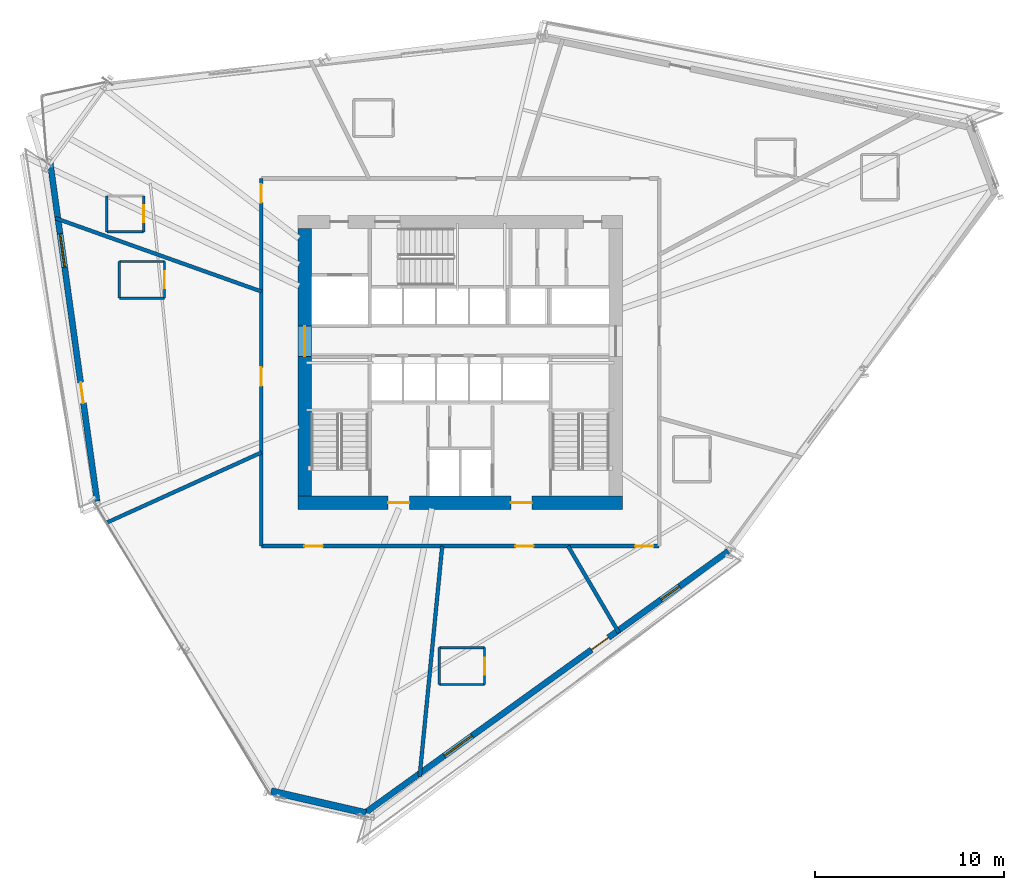
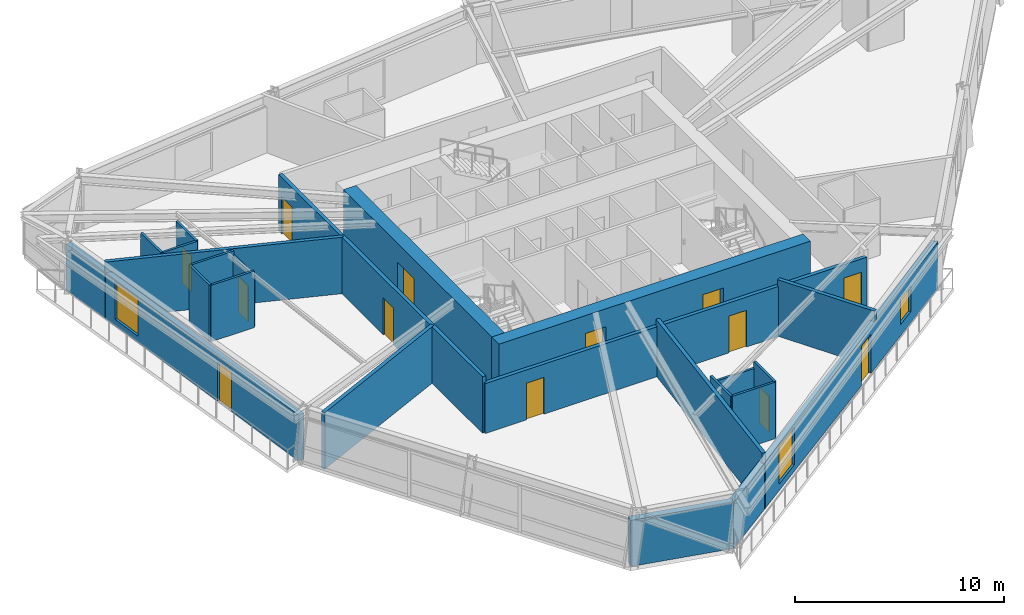
# One storey, part 12 of 18: 22 walls, 13 doors, 3 windows, 16 openings.
"""IFC4 building model written with IfcOpenShell, lengths in metres."""

from ifc_helpers import new_model, si_unit, direction, frame, frame_2d, origin, place, context, subcontext, project, spatial, rectangle, extrude, source, transform, mapped, material, layer, layer_set, type_object, type_shapes, element, fill, save


model = new_model("IFC4")

# Units and contexts
model_context = context("Model", 3, precision=1e-05, world=origin(), true_north=direction((0.0, 1.0)))
body_context = subcontext(model_context, "Body", "Model", "MODEL_VIEW")
ifc_project = project(units=[si_unit("LENGTHUNIT", "METRE"), si_unit("AREAUNIT", "SQUARE_METRE"), si_unit("VOLUMEUNIT", "CUBIC_METRE"), si_unit("PLANEANGLEUNIT", "RADIAN"), si_unit("MASSUNIT", "GRAM", prefix="KILO")], contexts=[model_context])

# Site, building, storey
site_placement = place(None, origin())
site = spatial("IfcSite", under=ifc_project, at=site_placement, CompositionType="ELEMENT")
building_placement = place(site_placement, origin())
building = spatial("IfcBuilding", under=site, at=building_placement, Name="Olszyna Solenne Hotel", CompositionType="ELEMENT")
storey_placement = place(building_placement, frame((0.0, 0.0, 119.89990234375)))
storey = spatial("IfcBuildingStorey", under=building, at=storey_placement, Name="L31", CompositionType="ELEMENT", Elevation=119.89990234375)

# Wall, openings, doors
ifc_material_1 = material(Name="Concrete C60/75", Category="concrete")
ifc_layer_1 = layer(ifc_material_1, 0.699951171875, Name="Concrete C60/75")
ifc_layer_set_1 = layer_set([ifc_layer_1], Name="Concrete C60/75")
wall_type_1 = type_object("IfcWallType", Name="WL-CR700", PredefinedType="SHEAR", material=ifc_layer_set_1)
wall_1_placement = place(storey_placement, frame((46.60009765625, 19.14990234375, 0.0), z_axis=(0.0, 0.0, 1.0), x_axis=(-1.0, 0.0, 0.0)))
wall_1 = element("IfcWall", 1, at=wall_1_placement, inside=storey, type_object=wall_type_1, Name="Core shear wall WL-CR700 CRW-L31-S", PredefinedType="SHEAR", context=body_context, shape_type="SweptSolid", body=[
    extrude(rectangle(XDim=17.2001953125, YDim=0.699951171875, at=frame_2d((8.60009765625, 0.0))), origin(), (0.0, 0.0, 1.0), 3.300048828125),
])
opening_1_placement = place(wall_1_placement, frame((4.800048828125, 0.0, 0.0)))
opening_1 = element("IfcOpeningElement", 2, at=opening_1_placement, cuts=wall_1, Name="Opening FL-L31-1", PredefinedType="OPENING", context=body_context, shape_type="SweptSolid", body=[
    extrude(rectangle(XDim=1.1201171875, YDim=2.25, at=frame_2d((0.56005859375, 1.125))), frame((0.0, 0.35986328125, 0.0), z_axis=(0.0, -1.0, 0.0), x_axis=(1.0, 0.0, 0.0)), (0.0, 0.0, 1.0), 0.719970703125),
])
opening_2_placement = place(wall_1_placement, frame((11.300048828125, 0.0, 0.0)))
opening_2 = element("IfcOpeningElement", 3, at=opening_2_placement, cuts=wall_1, Name="Opening FL-L31-2", PredefinedType="OPENING", context=body_context, shape_type="SweptSolid", body=[
    extrude(rectangle(XDim=1.1201171875, YDim=2.25, at=frame_2d((0.56005859375, 1.125))), frame((0.0, 0.35986328125, 0.0), z_axis=(0.0, -1.0, 0.0), x_axis=(1.0, 0.0, 0.0)), (0.0, 0.0, 1.0), 0.719970703125),
])
ifc_material_2 = material(Name="Steel S355J2", Category="steel")
door_type_1 = type_object("IfcDoorType", Name="DR-FL1", OperationType="NOTDEFINED", PredefinedType="DOOR", material=ifc_material_2)
shared_shape_1 = source(origin(), body_context, "Body", "SweptSolid", [
    extrude(rectangle(XDim=1.1201171875, YDim=2.25, at=frame_2d((0.56005859375, 1.125))), frame((0.0, 0.02490234375, 0.0), z_axis=(0.0, -1.0, 0.0), x_axis=(1.0, 0.0, 0.0)), (0.0, 0.0, 1.0), 0.050048828125),
])
type_shapes(door_type_1, [shared_shape_1])
door_1_placement = place(opening_1_placement, origin())
door_1 = element("IfcDoor", 4, at=door_1_placement, inside=storey, type_object=door_type_1, Name="Firefighting lift lobby smoke door FL-L31-1", OperationType="SINGLE_SWING_LEFT", OverallHeight=2.25, OverallWidth=1.1201171875, PredefinedType="DOOR", context=body_context, shape_type="MappedRepresentation", body=[
    mapped(shared_shape_1, transform((0.0, 0.0, 0.0), x_axis=(1.0, 0.0, 0.0), y_axis=(0.0, 1.0, 0.0), z_axis=(0.0, 0.0, 1.0), scale=1.0)),
])
fill(opening_1, door_1)
door_2_placement = place(opening_2_placement, origin())
door_2 = element("IfcDoor", 5, at=door_2_placement, inside=storey, type_object=door_type_1, Name="Firefighting lift lobby smoke door FL-L31-2", OperationType="SINGLE_SWING_RIGHT", OverallHeight=2.25, OverallWidth=1.1201171875, PredefinedType="DOOR", context=body_context, shape_type="MappedRepresentation", body=[
    mapped(shared_shape_1, transform((0.0, 0.0, 0.0), x_axis=(1.0, 0.0, 0.0), y_axis=(0.0, 1.0, 0.0), z_axis=(0.0, 0.0, 1.0), scale=1.0)),
])
fill(opening_2, door_2)

# Wall, opening, door
wall_2_placement = place(storey_placement, frame((29.75, 19.5, 0.0), z_axis=(0.0, 0.0, 1.0), x_axis=(0.0, 1.0, 0.0)))
wall_2 = element("IfcWall", 6, at=wall_2_placement, inside=storey, type_object=wall_type_1, Name="Core shear wall WL-CR700 CRW-L31-W", PredefinedType="SHEAR", context=body_context, shape_type="SweptSolid", body=[
    extrude(rectangle(XDim=14.199951171875, YDim=0.699951171875, at=frame_2d((7.10009765625, 0.0))), origin(), (0.0, 0.0, 1.0), 3.300048828125),
])
opening_3_placement = place(wall_2_placement, frame((7.419921875, 0.0, 0.0)))
opening_3 = element("IfcOpeningElement", 7, at=opening_3_placement, cuts=wall_2, Name="Opening LHD-L31-W", PredefinedType="OPENING", context=body_context, shape_type="SweptSolid", body=[
    extrude(rectangle(XDim=1.60009765625, YDim=2.199951171875, at=frame_2d((0.800048828125, 1.10009765625))), frame((0.0, 0.35986328125, 0.0), z_axis=(0.0, -1.0, 0.0), x_axis=(1.0, 0.0, 0.0)), (0.0, 0.0, 1.0), 0.719970703125),
])
ifc_material_3 = material(Name="Timber hardwood", Category="wood")
door_type_2 = type_object("IfcDoorType", Name="DR-CR1", OperationType="DOUBLE_DOOR_SINGLE_SWING", PredefinedType="DOOR", material=ifc_material_3)
shared_shape_2 = source(origin(), body_context, "Body", "SweptSolid", [
    extrude(rectangle(XDim=1.60009765625, YDim=2.199951171875, at=frame_2d((0.800048828125, 1.10009765625))), frame((0.0, 0.02490234375, 0.0), z_axis=(0.0, -1.0, 0.0), x_axis=(1.0, 0.0, 0.0)), (0.0, 0.0, 1.0), 0.050048828125),
])
type_shapes(door_type_2, [shared_shape_2])
door_3_placement = place(opening_3_placement, origin())
door_3 = element("IfcDoor", 8, at=door_3_placement, inside=storey, type_object=door_type_2, Name="Passenger lift lobby West fire door LHD-L31-W", OperationType="DOUBLE_DOOR_SINGLE_SWING", OverallHeight=2.199951171875, OverallWidth=1.60009765625, PredefinedType="DOOR", context=body_context, shape_type="MappedRepresentation", body=[
    mapped(shared_shape_2, transform((0.0, 0.0, 0.0), x_axis=(1.0, 0.0, 0.0), y_axis=(0.0, 1.0, 0.0), z_axis=(0.0, 0.0, 1.0), scale=1.0)),
])
fill(opening_3, door_3)

# Wall, openings, door, windows
ifc_material_4 = material(Name="Precast concrete C45/55", Category="concrete")
ifc_layer_2 = layer(ifc_material_4, 0.320068359375, Name="Precast concrete C45/55")
ifc_layer_set_2 = layer_set([ifc_layer_2], Name="Precast concrete C45/55")
wall_type_2 = type_object("IfcWallType", Name="WL-EX320", PredefinedType="SOLIDWALL", material=ifc_layer_set_2)
wall_3_placement = place(storey_placement, frame((52.215576171875, 16.57861328125, 0.0), z_axis=(0.0, 0.0, 1.0), x_axis=(-0.811343672804, -0.584569452334, 0.0)))
wall_3 = element("IfcWall", 9, at=wall_3_placement, inside=storey, type_object=wall_type_2, Name="Exterior terracotta-precast frame wall WL-EX320 EW-L31-01", PredefinedType="SOLIDWALL", context=body_context, shape_type="SweptSolid", body=[
    extrude(rectangle(XDim=23.85498046875, YDim=0.320068359375, at=frame_2d((11.927490234375, 0.0))), origin(), (0.0, 0.0, 1.0), 2.692138671875),
])
opening_4_placement = place(wall_3_placement, frame((7.833984375, 0.0, 0.0)))
opening_4 = element("IfcOpeningElement", 10, at=opening_4_placement, cuts=wall_3, Name="Opening LDG-L31-3", PredefinedType="OPENING", context=body_context, shape_type="SweptSolid", body=[
    extrude(rectangle(XDim=1.10009765625, YDim=2.300048828125, at=frame_2d((0.550048828125, 1.14990234375))), frame((0.0, 0.169921875, 0.0), z_axis=(0.0, -1.0, 0.0), x_axis=(1.0, 0.0, 0.0)), (0.0, 0.0, 1.0), 0.340087890625),
])
opening_5_placement = place(wall_3_placement, frame((16.7529296875, 0.0, 0.3720703125)))
opening_5 = element("IfcOpeningElement", 11, at=opening_5_placement, cuts=wall_3, Name="Opening WN-L31-175", PredefinedType="OPENING", context=body_context, shape_type="SweptSolid", body=[
    extrude(rectangle(XDim=1.800048828125, YDim=2.199951171875, at=frame_2d((0.89990234375, 1.10009765625))), frame((0.0, 0.169921875, 0.0), z_axis=(0.0, -1.0, 0.0), x_axis=(1.0, 0.0, 0.0)), (0.0, 0.0, 1.0), 0.340087890625),
])
opening_6_placement = place(wall_3_placement, frame((3.19091796875, 0.0, 0.64990234375)))
opening_6 = element("IfcOpeningElement", 12, at=opening_6_placement, cuts=wall_3, Name="Opening WN-L31-182", PredefinedType="OPENING", context=body_context, shape_type="SweptSolid", body=[
    extrude(rectangle(XDim=1.199951171875, YDim=1.5, at=frame_2d((0.60009765625, 0.75))), frame((0.0, 0.169921875, 0.0), z_axis=(0.0, -1.0, 0.0), x_axis=(1.0, 0.0, 0.0)), (0.0, 0.0, 1.0), 0.340087890625),
])
ifc_material_5 = material(Name="Anodised bronze aluminium", Category="aluminium")
door_type_3 = type_object("IfcDoorType", Name="DR-LG1", OperationType="NOTDEFINED", PredefinedType="DOOR", material=ifc_material_5)
shared_shape_3 = source(origin(), body_context, "Body", "SweptSolid", [
    extrude(rectangle(XDim=1.10009765625, YDim=2.300048828125, at=frame_2d((0.550048828125, 1.14990234375))), frame((0.0, 0.02490234375, 0.0), z_axis=(0.0, -1.0, 0.0), x_axis=(1.0, 0.0, 0.0)), (0.0, 0.0, 1.0), 0.050048828125),
])
type_shapes(door_type_3, [shared_shape_3])
door_4_placement = place(opening_4_placement, origin())
door_4 = element("IfcDoor", 13, at=door_4_placement, inside=storey, type_object=door_type_3, Name="Exterior loggia balcony door DR-LG1 LDG-L31-3", OperationType="SINGLE_SWING_LEFT", OverallHeight=2.300048828125, OverallWidth=1.10009765625, PredefinedType="DOOR", context=body_context, shape_type="MappedRepresentation", body=[
    mapped(shared_shape_3, transform((0.0, 0.0, 0.0), x_axis=(1.0, 0.0, 0.0), y_axis=(0.0, 1.0, 0.0), z_axis=(0.0, 0.0, 1.0), scale=1.0)),
])
fill(opening_4, door_4)
ifc_material_6 = material(Name="Low-E triple glazing", Category="glass")
window_type_1 = type_object("IfcWindowType", Name="WN-HT1", PartitioningType="SINGLE_PANEL", PredefinedType="WINDOW", material=ifc_material_6)
shared_shape_4 = source(origin(), body_context, "Body", "SweptSolid", [
    extrude(rectangle(XDim=1.800048828125, YDim=2.199951171875, at=frame_2d((0.89990234375, 1.10009765625))), frame((0.0, 0.030029296875, 0.0), z_axis=(0.0, -1.0, 0.0), x_axis=(1.0, 0.0, 0.0)), (0.0, 0.0, 1.0), 0.06005859375),
])
type_shapes(window_type_1, [shared_shape_4])
window_1_placement = place(opening_5_placement, origin())
window_1 = element("IfcWindow", 14, at=window_1_placement, inside=storey, type_object=window_type_1, Name="Loggia room window WN-HT1 WN-L31-175", OverallHeight=2.199951171875, OverallWidth=1.800048828125, PartitioningType="SINGLE_PANEL", PredefinedType="WINDOW", context=body_context, shape_type="MappedRepresentation", body=[
    mapped(shared_shape_4, transform((0.0, 0.0, 0.0), x_axis=(1.0, 0.0, 0.0), y_axis=(0.0, 1.0, 0.0), z_axis=(0.0, 0.0, 1.0), scale=1.0)),
])
fill(opening_5, window_1)
window_type_2 = type_object("IfcWindowType", Name="WN-B1", PartitioningType="SINGLE_PANEL", PredefinedType="WINDOW", material=ifc_material_6)
shared_shape_5 = source(origin(), body_context, "Body", "SweptSolid", [
    extrude(rectangle(XDim=1.199951171875, YDim=1.5, at=frame_2d((0.60009765625, 0.75))), frame((0.0, 0.030029296875, 0.0), z_axis=(0.0, -1.0, 0.0), x_axis=(1.0, 0.0, 0.0)), (0.0, 0.0, 1.0), 0.06005859375),
])
type_shapes(window_type_2, [shared_shape_5])
window_2_placement = place(opening_6_placement, origin())
window_2 = element("IfcWindow", 15, at=window_2_placement, inside=storey, type_object=window_type_2, Name="Exterior facade window WN-B1 WN-L31-182", OverallHeight=1.5, OverallWidth=1.199951171875, PartitioningType="SINGLE_PANEL", PredefinedType="WINDOW", context=body_context, shape_type="MappedRepresentation", body=[
    mapped(shared_shape_5, transform((0.0, 0.0, 0.0), x_axis=(1.0, 0.0, 0.0), y_axis=(0.0, 1.0, 0.0), z_axis=(0.0, 0.0, 1.0), scale=1.0)),
])
fill(opening_6, window_2)

# Wall, openings, door, window
wall_4_placement = place(storey_placement, frame((18.734619140625, 19.232421875, 0.0), z_axis=(0.0, 0.0, 1.0), x_axis=(-0.137044979398, 0.990564825553, 0.0)))
wall_4 = element("IfcWall", 16, at=wall_4_placement, inside=storey, type_object=wall_type_2, Name="Exterior terracotta-precast frame wall WL-EX320 EW-L31-04", PredefinedType="SOLIDWALL", context=body_context, shape_type="SweptSolid", body=[
    extrude(rectangle(XDim=18.140625, YDim=0.320068359375, at=frame_2d((9.0703125, 0.0))), origin(), (0.0, 0.0, 1.0), 2.692138671875),
])
opening_7_placement = place(wall_4_placement, frame((5.2548828125, 0.0, 0.0)))
opening_7 = element("IfcOpeningElement", 17, at=opening_7_placement, cuts=wall_4, Name="Opening LDG-L31-2", PredefinedType="OPENING", context=body_context, shape_type="SweptSolid", body=[
    extrude(rectangle(XDim=1.10009765625, YDim=2.300048828125, at=frame_2d((0.550048828125, 1.14990234375))), frame((0.0, 0.169921875, 0.0), z_axis=(0.0, -1.0, 0.0), x_axis=(1.0, 0.0, 0.0)), (0.0, 0.0, 1.0), 0.340087890625),
])
opening_8_placement = place(wall_4_placement, frame((12.52392578125, 0.0, 0.3720703125)))
opening_8 = element("IfcOpeningElement", 18, at=opening_8_placement, cuts=wall_4, Name="Opening WN-L31-176", PredefinedType="OPENING", context=body_context, shape_type="SweptSolid", body=[
    extrude(rectangle(XDim=1.800048828125, YDim=2.199951171875, at=frame_2d((0.89990234375, 1.10009765625))), frame((0.0, 0.169921875, 0.0), z_axis=(0.0, -1.0, 0.0), x_axis=(1.0, 0.0, 0.0)), (0.0, 0.0, 1.0), 0.340087890625),
])
door_5_placement = place(opening_7_placement, origin())
door_5 = element("IfcDoor", 19, at=door_5_placement, inside=storey, type_object=door_type_3, Name="Exterior loggia balcony door DR-LG1 LDG-L31-2", OperationType="SINGLE_SWING_RIGHT", OverallHeight=2.300048828125, OverallWidth=1.10009765625, PredefinedType="DOOR", context=body_context, shape_type="MappedRepresentation", body=[
    mapped(shared_shape_3, transform((0.0, 0.0, 0.0), x_axis=(1.0, 0.0, 0.0), y_axis=(0.0, 1.0, 0.0), z_axis=(0.0, 0.0, 1.0), scale=1.0)),
])
fill(opening_7, door_5)
window_3_placement = place(opening_8_placement, origin())
window_3 = element("IfcWindow", 20, at=window_3_placement, inside=storey, type_object=window_type_1, Name="Loggia room window WN-HT1 WN-L31-176", OverallHeight=2.199951171875, OverallWidth=1.800048828125, PartitioningType="SINGLE_PANEL", PredefinedType="WINDOW", context=body_context, shape_type="MappedRepresentation", body=[
    mapped(shared_shape_4, transform((0.0, 0.0, 0.0), x_axis=(1.0, 0.0, 0.0), y_axis=(0.0, 1.0, 0.0), z_axis=(0.0, 0.0, 1.0), scale=1.0)),
])
fill(opening_8, window_3)

# Wall
ifc_material_7 = material(Name="Terracotta cladding on precast concrete C45/55", Category="masonry")
ifc_layer_3 = layer(ifc_material_7, 0.3798828125, Name="Terracotta cladding on precast concrete C45/55")
ifc_layer_set_3 = layer_set([ifc_layer_3], Name="Terracotta cladding on precast concrete C45/55")
wall_type_3 = type_object("IfcWallType", Name="WL-EX380", PredefinedType="SOLIDWALL", material=ifc_layer_set_3)
wall_5_placement = place(storey_placement, frame((32.997314453125, 2.689208984375, 0.0), z_axis=(0.0, 0.0, 1.0), x_axis=(-0.97437763842, 0.22491824681, 0.0)))
element("IfcWall", 21, at=wall_5_placement, inside=storey, type_object=wall_type_3, Name="Exterior terracotta-precast frame wall WL-EX380 EW-L31-02", PredefinedType="SOLIDWALL", context=body_context, shape_type="SweptSolid", body=[
    extrude(rectangle(XDim=5.160400390625, YDim=0.3798828125, at=frame_2d((2.580078125, 0.0))), origin(), (0.0, 0.0, 1.0), 2.692138671875),
])

# Wall, opening, door
ifc_material_8 = material(Name="Acoustic gypsum partition", Category="gypsum")
ifc_layer_4 = layer(ifc_material_8, 0.125, Name="Acoustic gypsum partition")
ifc_layer_set_4 = layer_set([ifc_layer_4], Name="Acoustic gypsum partition")
wall_type_4 = type_object("IfcWallType", Name="WL-PT125", PredefinedType="PARTITIONING", material=ifc_layer_set_4)
wall_6_placement = place(storey_placement, frame((21.208984375, 33.52099609375, 0.0), z_axis=(0.0, 0.0, 1.0), x_axis=(0.0, 1.0, 0.0)))
wall_6 = element("IfcWall", 22, at=wall_6_placement, inside=storey, type_object=wall_type_4, Name="Interior acoustic partition WL-PT125 PW-L31-1803", PredefinedType="PARTITIONING", context=body_context, shape_type="SweptSolid", body=[
    extrude(rectangle(XDim=1.89990234375, YDim=0.125, at=frame_2d((0.949951171875, 0.0))), origin(), (0.0, 0.0, 1.0), 3.300048828125),
])
opening_9_placement = place(wall_6_placement, frame((0.5, 0.0, 0.0)))
opening_9 = element("IfcOpeningElement", 23, at=opening_9_placement, cuts=wall_6, Name="Opening DR-L31-0428", PredefinedType="OPENING", context=body_context, shape_type="SweptSolid", body=[
    extrude(rectangle(XDim=0.89990234375, YDim=2.10009765625, at=frame_2d((0.449951171875, 1.050048828125))), frame((0.0, 0.072509765625, 0.0), z_axis=(0.0, -1.0, 0.0), x_axis=(1.0, 0.0, 0.0)), (0.0, 0.0, 1.0), 0.14501953125),
])
door_type_4 = type_object("IfcDoorType", Name="DR-WC1", OperationType="NOTDEFINED", PredefinedType="DOOR", material=ifc_material_3)
shared_shape_6 = source(origin(), body_context, "Body", "SweptSolid", [
    extrude(rectangle(XDim=0.89990234375, YDim=2.10009765625, at=frame_2d((0.449951171875, 1.050048828125))), frame((0.0, 0.02490234375, 0.0), z_axis=(0.0, -1.0, 0.0), x_axis=(1.0, 0.0, 0.0)), (0.0, 0.0, 1.0), 0.050048828125),
])
type_shapes(door_type_4, [shared_shape_6])
door_6_placement = place(opening_9_placement, origin())
door_6 = element("IfcDoor", 24, at=door_6_placement, inside=storey, type_object=door_type_4, Name="En-Suite Bathroom Door DR-L31-0428", OperationType="SINGLE_SWING_RIGHT", OverallHeight=2.10009765625, OverallWidth=0.89990234375, PredefinedType="DOOR", context=body_context, shape_type="MappedRepresentation", body=[
    mapped(shared_shape_6, transform((0.0, 0.0, 0.0), x_axis=(1.0, 0.0, 0.0), y_axis=(0.0, 1.0, 0.0), z_axis=(0.0, 0.0, 1.0), scale=1.0)),
])
fill(opening_9, door_6)

# Walls
wall_7_placement = place(storey_placement, frame((19.259033203125, 35.4208984375, 0.0), z_axis=(0.0, 0.0, 1.0), x_axis=(0.0, -1.0, 0.0)))
element("IfcWall", 25, at=wall_7_placement, inside=storey, type_object=wall_type_4, Name="Interior acoustic partition WL-PT125 PW-L31-1805", PredefinedType="PARTITIONING", context=body_context, shape_type="SweptSolid", body=[
    extrude(rectangle(XDim=1.89990234375, YDim=0.125, at=frame_2d((0.949951171875, 0.0))), origin(), (0.0, 0.0, 1.0), 3.300048828125),
])
wall_8_placement = place(storey_placement, frame((19.259033203125, 33.52099609375, 0.0), z_axis=(0.0, 0.0, 1.0), x_axis=(1.0, 0.0, 0.0)))
element("IfcWall", 26, at=wall_8_placement, inside=storey, type_object=wall_type_4, Name="Interior acoustic partition WL-PT125 PW-L31-1806", PredefinedType="PARTITIONING", context=body_context, shape_type="SweptSolid", body=[
    extrude(rectangle(XDim=1.949951171875, YDim=0.125, at=frame_2d((0.97509765625, 0.0))), origin(), (0.0, 0.0, 1.0), 3.300048828125),
])

# Wall, opening, door
wall_9_placement = place(storey_placement, frame((22.31298828125, 29.9990234375, 0.0), z_axis=(0.0, 0.0, 1.0), x_axis=(0.0, 1.0, 0.0)))
wall_9 = element("IfcWall", 27, at=wall_9_placement, inside=storey, type_object=wall_type_4, Name="Interior acoustic partition WL-PT125 PW-L31-1807", PredefinedType="PARTITIONING", context=body_context, shape_type="SweptSolid", body=[
    extrude(rectangle(XDim=1.949951171875, YDim=0.125, at=frame_2d((0.97509765625, 0.0))), origin(), (0.0, 0.0, 1.0), 3.045166015625),
])
opening_10_placement = place(wall_9_placement, frame((0.52490234375, 0.0, 0.0)))
opening_10 = element("IfcOpeningElement", 28, at=opening_10_placement, cuts=wall_9, Name="Opening DR-L31-0429", PredefinedType="OPENING", context=body_context, shape_type="SweptSolid", body=[
    extrude(rectangle(XDim=0.89990234375, YDim=2.10009765625, at=frame_2d((0.449951171875, 1.050048828125))), frame((0.0, 0.072509765625, 0.0), z_axis=(0.0, -1.0, 0.0), x_axis=(1.0, 0.0, 0.0)), (0.0, 0.0, 1.0), 0.14501953125),
])
door_7_placement = place(opening_10_placement, origin())
door_7 = element("IfcDoor", 29, at=door_7_placement, inside=storey, type_object=door_type_4, Name="En-Suite Bathroom Door DR-L31-0429", OperationType="SINGLE_SWING_RIGHT", OverallHeight=2.10009765625, OverallWidth=0.89990234375, PredefinedType="DOOR", context=body_context, shape_type="MappedRepresentation", body=[
    mapped(shared_shape_6, transform((0.0, 0.0, 0.0), x_axis=(1.0, 0.0, 0.0), y_axis=(0.0, 1.0, 0.0), z_axis=(0.0, 0.0, 1.0), scale=1.0)),
])
fill(opening_10, door_7)

# Walls
wall_10_placement = place(storey_placement, frame((22.31298828125, 31.948974609375, 0.0), z_axis=(0.0, 0.0, 1.0), x_axis=(-1.0, 0.0, 0.0)))
element("IfcWall", 30, at=wall_10_placement, inside=storey, type_object=wall_type_4, Name="Interior acoustic partition WL-PT125 PW-L31-1808", PredefinedType="PARTITIONING", context=body_context, shape_type="SweptSolid", body=[
    extrude(rectangle(XDim=2.39990234375, YDim=0.125, at=frame_2d((1.199951171875, 0.0))), origin(), (0.0, 0.0, 1.0), 3.300048828125),
])
wall_11_placement = place(storey_placement, frame((19.9130859375, 31.948974609375, 0.0), z_axis=(0.0, 0.0, 1.0), x_axis=(0.0, -1.0, 0.0)))
element("IfcWall", 31, at=wall_11_placement, inside=storey, type_object=wall_type_4, Name="Interior acoustic partition WL-PT125 PW-L31-1809", PredefinedType="PARTITIONING", context=body_context, shape_type="SweptSolid", body=[
    extrude(rectangle(XDim=1.949951171875, YDim=0.125, at=frame_2d((0.97509765625, 0.0))), origin(), (0.0, 0.0, 1.0), 3.300048828125),
])
wall_12_placement = place(storey_placement, frame((19.9130859375, 29.9990234375, 0.0), z_axis=(0.0, 0.0, 1.0), x_axis=(1.0, 0.0, 0.0)))
element("IfcWall", 32, at=wall_12_placement, inside=storey, type_object=wall_type_4, Name="Interior acoustic partition WL-PT125 PW-L31-1810", PredefinedType="PARTITIONING", context=body_context, shape_type="SweptSolid", body=[
    extrude(rectangle(XDim=2.39990234375, YDim=0.125, at=frame_2d((1.199951171875, 0.0))), origin(), (0.0, 0.0, 1.0), 3.300048828125),
])

# Wall, opening, door
wall_13_placement = place(storey_placement, frame((39.2880859375, 9.510009765625, 0.0), z_axis=(0.0, 0.0, 1.0), x_axis=(0.0, 1.0, 0.0)))
wall_13 = element("IfcWall", 33, at=wall_13_placement, inside=storey, type_object=wall_type_4, Name="Interior acoustic partition WL-PT125 PW-L31-1811", PredefinedType="PARTITIONING", context=body_context, shape_type="SweptSolid", body=[
    extrude(rectangle(XDim=1.949951171875, YDim=0.125, at=frame_2d((0.97509765625, 0.0))), origin(), (0.0, 0.0, 1.0), 3.300048828125),
])
opening_11_placement = place(wall_13_placement, frame((0.52490234375, 0.0, 0.0)))
opening_11 = element("IfcOpeningElement", 34, at=opening_11_placement, cuts=wall_13, Name="Opening DR-L31-0430", PredefinedType="OPENING", context=body_context, shape_type="SweptSolid", body=[
    extrude(rectangle(XDim=0.89990234375, YDim=2.10009765625, at=frame_2d((0.449951171875, 1.050048828125))), frame((0.0, 0.072509765625, 0.0), z_axis=(0.0, -1.0, 0.0), x_axis=(1.0, 0.0, 0.0)), (0.0, 0.0, 1.0), 0.14501953125),
])
door_8_placement = place(opening_11_placement, origin())
door_8 = element("IfcDoor", 35, at=door_8_placement, inside=storey, type_object=door_type_4, Name="En-Suite Bathroom Door DR-L31-0430", OperationType="SINGLE_SWING_RIGHT", OverallHeight=2.10009765625, OverallWidth=0.89990234375, PredefinedType="DOOR", context=body_context, shape_type="MappedRepresentation", body=[
    mapped(shared_shape_6, transform((0.0, 0.0, 0.0), x_axis=(1.0, 0.0, 0.0), y_axis=(0.0, 1.0, 0.0), z_axis=(0.0, 0.0, 1.0), scale=1.0)),
])
fill(opening_11, door_8)

# Walls
wall_14_placement = place(storey_placement, frame((39.2880859375, 11.4599609375, 0.0), z_axis=(0.0, 0.0, 1.0), x_axis=(-1.0, 0.0, 0.0)))
element("IfcWall", 36, at=wall_14_placement, inside=storey, type_object=wall_type_4, Name="Interior acoustic partition WL-PT125 PW-L31-1812", PredefinedType="PARTITIONING", context=body_context, shape_type="SweptSolid", body=[
    extrude(rectangle(XDim=2.400146484375, YDim=0.125, at=frame_2d((1.2001953125, 0.0))), origin(), (0.0, 0.0, 1.0), 2.925048828125),
])
wall_15_placement = place(storey_placement, frame((36.887939453125, 11.4599609375, 0.0), z_axis=(0.0, 0.0, 1.0), x_axis=(0.0, -1.0, 0.0)))
element("IfcWall", 37, at=wall_15_placement, inside=storey, type_object=wall_type_4, Name="Interior acoustic partition WL-PT125 PW-L31-1813", PredefinedType="PARTITIONING", context=body_context, shape_type="SweptSolid", body=[
    extrude(rectangle(XDim=1.949951171875, YDim=0.125, at=frame_2d((0.97509765625, 0.0))), origin(), (0.0, 0.0, 1.0), 3.300048828125),
])
wall_16_placement = place(storey_placement, frame((36.887939453125, 9.510009765625, 0.0), z_axis=(0.0, 0.0, 1.0), x_axis=(1.0, 0.0, 0.0)))
element("IfcWall", 38, at=wall_16_placement, inside=storey, type_object=wall_type_4, Name="Interior acoustic partition WL-PT125 PW-L31-1814", PredefinedType="PARTITIONING", context=body_context, shape_type="SweptSolid", body=[
    extrude(rectangle(XDim=2.400146484375, YDim=0.125, at=frame_2d((1.2001953125, 0.0))), origin(), (0.0, 0.0, 1.0), 3.300048828125),
])
ifc_layer_5 = layer(ifc_material_8, 0.199951171875, Name="Acoustic gypsum partition")
ifc_layer_set_5 = layer_set([ifc_layer_5], Name="Acoustic gypsum partition")
wall_type_5 = type_object("IfcWallType", Name="WL-PT200", PredefinedType="PARTITIONING", material=ifc_layer_set_5)
wall_17_placement = place(storey_placement, frame((43.72021484375, 16.85009765625, 0.0), z_axis=(0.0, 0.0, 1.0), x_axis=(0.506032751864, -0.862514263094, 0.0)))
element("IfcWall", 39, at=wall_17_placement, inside=storey, type_object=wall_type_5, Name="Interior acoustic partition WL-PT200 PW-L31-1779", PredefinedType="PARTITIONING", context=body_context, shape_type="SweptSolid", body=[
    extrude(rectangle(XDim=5.33984375, YDim=0.199951171875, at=frame_2d((2.669921875, 0.0))), origin(), (0.0, 0.0, 1.0), 3.300048828125),
])
wall_18_placement = place(storey_placement, frame((27.449951171875, 30.356689453125, 0.0), z_axis=(0.0, 0.0, 1.0), x_axis=(-0.942054935906, 0.335458637891, 0.0)))
element("IfcWall", 40, at=wall_18_placement, inside=storey, type_object=wall_type_5, Name="Interior acoustic partition WL-PT200 PW-L31-1784", PredefinedType="PARTITIONING", context=body_context, shape_type="SweptSolid", body=[
    extrude(rectangle(XDim=11.595703125, YDim=0.199951171875, at=frame_2d((5.7978515625, 0.0))), origin(), (0.0, 0.0, 1.0), 3.300048828125),
])
wall_19_placement = place(storey_placement, frame((27.449951171875, 21.814208984375, 0.0), z_axis=(0.0, 0.0, 1.0), x_axis=(-0.910689415533, -0.413091743366, 0.0)))
element("IfcWall", 41, at=wall_19_placement, inside=storey, type_object=wall_type_5, Name="Interior acoustic partition WL-PT200 PW-L31-1785", PredefinedType="PARTITIONING", context=body_context, shape_type="SweptSolid", body=[
    extrude(rectangle(XDim=8.976318359375, YDim=0.199951171875, at=frame_2d((4.48828125, 0.0))), origin(), (0.0, 0.0, 1.0), 3.300048828125),
])
wall_20_placement = place(storey_placement, frame((37.0439453125, 16.85009765625, 0.0), z_axis=(0.0, 0.0, 1.0), x_axis=(-0.097575283555, -0.995228146728, 0.0)))
element("IfcWall", 42, at=wall_20_placement, inside=storey, type_object=wall_type_5, Name="Interior acoustic partition WL-PT200 PW-L31-1786", PredefinedType="PARTITIONING", context=body_context, shape_type="SweptSolid", body=[
    extrude(rectangle(XDim=12.28515625, YDim=0.199951171875, at=frame_2d((6.142578125, 0.0))), origin(), (0.0, 0.0, 1.0), 3.300048828125),
])

# Wall, openings, doors
wall_21_placement = place(storey_placement, frame((27.449951171875, 16.85009765625, 0.0), z_axis=(0.0, 0.0, 1.0), x_axis=(1.0, 0.0, 0.0)))
wall_21 = element("IfcWall", 43, at=wall_21_placement, inside=storey, type_object=wall_type_5, Name="Interior acoustic partition WL-PT200 PW-L31-1815", PredefinedType="PARTITIONING", context=body_context, shape_type="SweptSolid", body=[
    extrude(rectangle(XDim=21.10009765625, YDim=0.199951171875, at=frame_2d((10.550048828125, 0.0))), origin(), (0.0, 0.0, 1.0), 2.925048828125),
])
opening_12_placement = place(wall_21_placement, frame((19.820068359375, 0.0, 0.0)))
opening_12 = element("IfcOpeningElement", 44, at=opening_12_placement, cuts=wall_21, Name="Opening DR-L31-0431", PredefinedType="OPENING", context=body_context, shape_type="SweptSolid", body=[
    extrude(rectangle(XDim=0.97998046875, YDim=2.14990234375, at=frame_2d((0.489990234375, 1.074951171875))), frame((0.0, 0.10986328125, 0.0), z_axis=(0.0, -1.0, 0.0), x_axis=(1.0, 0.0, 0.0)), (0.0, 0.0, 1.0), 0.219970703125),
])
opening_13_placement = place(wall_21_placement, frame((2.278076171875, 0.0, 0.0)))
opening_13 = element("IfcOpeningElement", 45, at=opening_13_placement, cuts=wall_21, Name="Opening DR-L31-0432", PredefinedType="OPENING", context=body_context, shape_type="SweptSolid", body=[
    extrude(rectangle(XDim=0.97998046875, YDim=2.14990234375, at=frame_2d((0.489990234375, 1.074951171875))), frame((0.0, 0.10986328125, 0.0), z_axis=(0.0, -1.0, 0.0), x_axis=(1.0, 0.0, 0.0)), (0.0, 0.0, 1.0), 0.219970703125),
])
opening_14_placement = place(wall_21_placement, frame((13.468994140625, 0.0, 0.0)))
opening_14 = element("IfcOpeningElement", 46, at=opening_14_placement, cuts=wall_21, Name="Opening DR-L31-0433", PredefinedType="OPENING", context=body_context, shape_type="SweptSolid", body=[
    extrude(rectangle(XDim=0.97998046875, YDim=2.14990234375, at=frame_2d((0.489990234375, 1.074951171875))), frame((0.0, 0.10986328125, 0.0), z_axis=(0.0, -1.0, 0.0), x_axis=(1.0, 0.0, 0.0)), (0.0, 0.0, 1.0), 0.219970703125),
])
door_type_5 = type_object("IfcDoorType", Name="DR-RM1", OperationType="NOTDEFINED", PredefinedType="DOOR", material=ifc_material_3)
shared_shape_7 = source(origin(), body_context, "Body", "SweptSolid", [
    extrude(rectangle(XDim=0.97998046875, YDim=2.14990234375, at=frame_2d((0.489990234375, 1.074951171875))), frame((0.0, 0.02490234375, 0.0), z_axis=(0.0, -1.0, 0.0), x_axis=(1.0, 0.0, 0.0)), (0.0, 0.0, 1.0), 0.050048828125),
])
type_shapes(door_type_5, [shared_shape_7])
door_9_placement = place(opening_12_placement, origin())
door_9 = element("IfcDoor", 47, at=door_9_placement, inside=storey, type_object=door_type_5, Name="Premier King Suite Entrance Door DR-L31-0431", OperationType="SINGLE_SWING_RIGHT", OverallHeight=2.14990234375, OverallWidth=0.97998046875, PredefinedType="DOOR", context=body_context, shape_type="MappedRepresentation", body=[
    mapped(shared_shape_7, transform((0.0, 0.0, 0.0), x_axis=(1.0, 0.0, 0.0), y_axis=(0.0, 1.0, 0.0), z_axis=(0.0, 0.0, 1.0), scale=1.0)),
])
fill(opening_12, door_9)
door_10_placement = place(opening_13_placement, origin())
door_10 = element("IfcDoor", 48, at=door_10_placement, inside=storey, type_object=door_type_5, Name="Conference Boardroom Entrance Door DR-L31-0432", OperationType="SINGLE_SWING_RIGHT", OverallHeight=2.14990234375, OverallWidth=0.97998046875, PredefinedType="DOOR", context=body_context, shape_type="MappedRepresentation", body=[
    mapped(shared_shape_7, transform((0.0, 0.0, 0.0), x_axis=(1.0, 0.0, 0.0), y_axis=(0.0, 1.0, 0.0), z_axis=(0.0, 0.0, 1.0), scale=1.0)),
])
fill(opening_13, door_10)
door_11_placement = place(opening_14_placement, origin())
door_11 = element("IfcDoor", 49, at=door_11_placement, inside=storey, type_object=door_type_5, Name="Executive Reading Salon Entrance Door DR-L31-0433", OperationType="SINGLE_SWING_LEFT", OverallHeight=2.14990234375, OverallWidth=0.97998046875, PredefinedType="DOOR", context=body_context, shape_type="MappedRepresentation", body=[
    mapped(shared_shape_7, transform((0.0, 0.0, 0.0), x_axis=(1.0, 0.0, 0.0), y_axis=(0.0, 1.0, 0.0), z_axis=(0.0, 0.0, 1.0), scale=1.0)),
])
fill(opening_14, door_11)

wall_22_placement = place(storey_placement, frame((27.449951171875, 16.85009765625, 0.0), z_axis=(0.0, 0.0, 1.0), x_axis=(0.0, 1.0, 0.0)))
wall_22 = element("IfcWall", 50, at=wall_22_placement, inside=storey, type_object=wall_type_5, Name="Interior acoustic partition WL-PT200 PW-L31-1816", PredefinedType="PARTITIONING", context=body_context, shape_type="SweptSolid", body=[
    extrude(rectangle(XDim=19.5, YDim=0.199951171875, at=frame_2d((9.75, 0.0))), origin(), (0.0, 0.0, 1.0), 3.300048828125),
])
opening_15_placement = place(wall_22_placement, frame((18.219970703125, 0.0, 0.0)))
opening_15 = element("IfcOpeningElement", 51, at=opening_15_placement, cuts=wall_22, Name="Opening DR-L31-0434", PredefinedType="OPENING", context=body_context, shape_type="SweptSolid", body=[
    extrude(rectangle(XDim=0.97998046875, YDim=2.14990234375, at=frame_2d((0.489990234375, 1.074951171875))), frame((0.0, 0.10986328125, 0.0), z_axis=(0.0, -1.0, 0.0), x_axis=(1.0, 0.0, 0.0)), (0.0, 0.0, 1.0), 0.219970703125),
])
opening_16_placement = place(wall_22_placement, frame((8.50390625, 0.0, 0.0)))
opening_16 = element("IfcOpeningElement", 52, at=opening_16_placement, cuts=wall_22, Name="Opening DR-L31-0435", PredefinedType="OPENING", context=body_context, shape_type="SweptSolid", body=[
    extrude(rectangle(XDim=0.97998046875, YDim=2.14990234375, at=frame_2d((0.489990234375, 1.074951171875))), frame((0.0, 0.10986328125, 0.0), z_axis=(0.0, -1.0, 0.0), x_axis=(1.0, 0.0, 0.0)), (0.0, 0.0, 1.0), 0.219970703125),
])
door_12_placement = place(opening_15_placement, origin())
door_12 = element("IfcDoor", 53, at=door_12_placement, inside=storey, type_object=door_type_5, Name="Premier King Suite Entrance Door DR-L31-0434", OperationType="SINGLE_SWING_RIGHT", OverallHeight=2.14990234375, OverallWidth=0.97998046875, PredefinedType="DOOR", context=body_context, shape_type="MappedRepresentation", body=[
    mapped(shared_shape_7, transform((0.0, 0.0, 0.0), x_axis=(1.0, 0.0, 0.0), y_axis=(0.0, 1.0, 0.0), z_axis=(0.0, 0.0, 1.0), scale=1.0)),
])
fill(opening_15, door_12)
door_13_placement = place(opening_16_placement, origin())
door_13 = element("IfcDoor", 54, at=door_13_placement, inside=storey, type_object=door_type_5, Name="Premier King Suite Entrance Door DR-L31-0435", OperationType="SINGLE_SWING_LEFT", OverallHeight=2.14990234375, OverallWidth=0.97998046875, PredefinedType="DOOR", context=body_context, shape_type="MappedRepresentation", body=[
    mapped(shared_shape_7, transform((0.0, 0.0, 0.0), x_axis=(1.0, 0.0, 0.0), y_axis=(0.0, 1.0, 0.0), z_axis=(0.0, 0.0, 1.0), scale=1.0)),
])
fill(opening_16, door_13)

save(model, "model.ifc")
